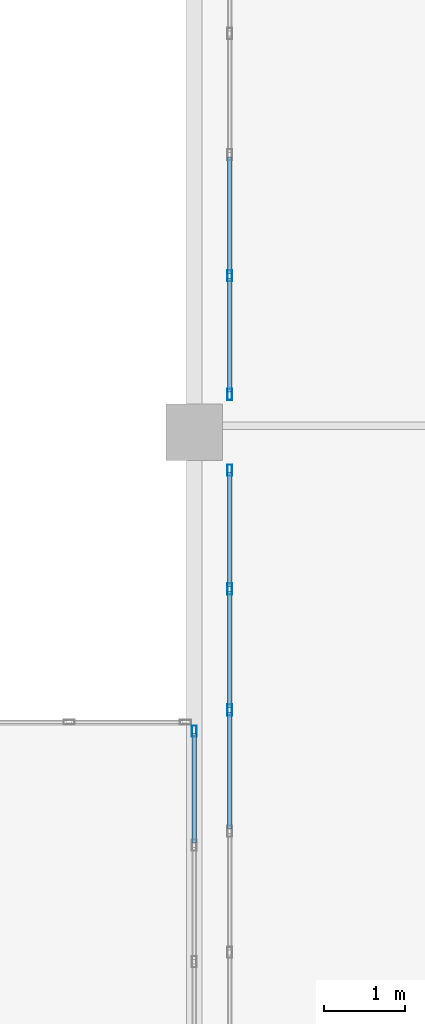
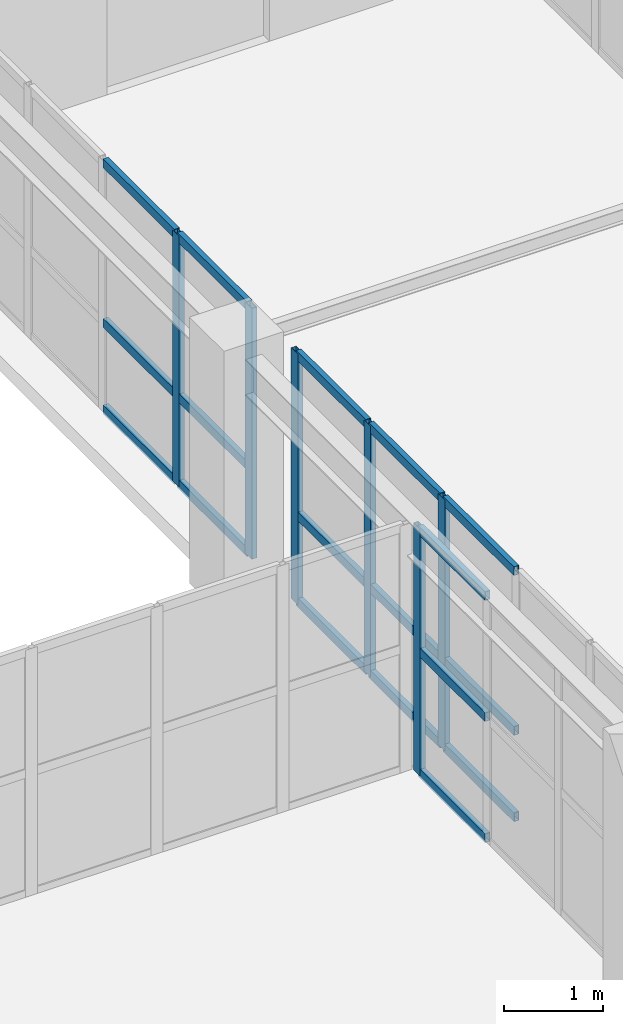
# One storey, part 68 of 148: 24 members, 3 elements without a shape of their own.
"""IFC4 building model written with IfcOpenShell, lengths in metres."""

from ifc_helpers import new_model, si_unit, direction, frame, origin, origin_2d, place, context, subcontext, project, spatial, hollow_rectangle, extrude, material, layer, layer_set, material_profile, profile_set, type_object, element, aggregate, save


model = new_model("IFC4")

# Units and contexts
model_context = context("Model", 3, precision=1e-05, world=origin(), true_north=direction((0.0, 1.0)))
body_context = subcontext(model_context, "Body", "Model", "MODEL_VIEW")
ifc_project = project(units=[si_unit("LENGTHUNIT", "METRE"), si_unit("AREAUNIT", "SQUARE_METRE"), si_unit("VOLUMEUNIT", "CUBIC_METRE"), si_unit("PLANEANGLEUNIT", "RADIAN"), si_unit("MASSUNIT", "GRAM", prefix="KILO")], contexts=[model_context])

# Site, building, storey
site_placement = place(None, origin())
site = spatial("IfcSite", under=ifc_project, at=site_placement, CompositionType="ELEMENT")
building_placement = place(site_placement, origin())
building = spatial("IfcBuilding", under=site, at=building_placement, Name="Trelvath General Hospital", CompositionType="ELEMENT")
storey_placement = place(building_placement, frame((0.0, 0.0, 12.89990234375)))
storey = spatial("IfcBuildingStorey", under=building, at=storey_placement, Name="L03", CompositionType="ELEMENT", Elevation=12.89990234375)

# Curtain wall, member
ifc_material_1 = material(Name="Anodised aluminium and low-E glass", Category="aluminium")
ifc_layer_1 = layer(ifc_material_1, 0.14990234375)
ifc_layer_set_1 = layer_set([ifc_layer_1], Name="Anodised aluminium and low-E glass")
curtain_wall_type_1 = type_object("IfcCurtainWallType", Name="CW CrystalCube 434 306 15", PredefinedType="USERDEFINED", material=ifc_layer_set_1)
curtain_wall_1_placement = place(storey_placement, origin())
curtain_wall_1 = element("IfcCurtainWall", 1, at=curtain_wall_1_placement, inside=storey, type_object=curtain_wall_type_1, Name="Crystal Cube Curtain Wall CUBE-W-T1 E5 L03", ObjectType="Unitised Glazed Curtain Wall", PredefinedType="USERDEFINED")
ifc_material_2 = material(Name="Anodised aluminium", Category="aluminium")
ifc_material_profile_1 = material_profile(ifc_material_2, hollow_rectangle(XDim=0.06005859375, YDim=0.139892578125, WallThickness=0.00390625, at=origin_2d()), Name="RHS60x140x4")
ifc_profile_set_1 = profile_set([ifc_material_profile_1], Name="Anodised aluminium")
member_type_1 = type_object("IfcMemberType", Name="CurtainMullion 60x140", PredefinedType="MULLION", material=ifc_profile_set_1)
member_1_placement = place(storey_placement, frame((75.60009765625, 80.2900390625, 0.0), z_axis=(0.0, 0.0, 1.0), x_axis=(1.0, 0.0, 0.0)))
member_1 = element("IfcMember", 2, at=member_1_placement, type_object=member_type_1, Name="CW-243 mullion 1", PredefinedType="MULLION", context=body_context, shape_type="SweptSolid", body=[
    extrude(hollow_rectangle(XDim=0.06005859375, YDim=0.139892578125, WallThickness=0.00390625, at=origin_2d()), origin(), (0.0, 0.0, 1.0), 3.06005859375),
])

# Curtain wall, members
ifc_material_3 = material(Name="Anodised aluminium and low-E glass", Category="aluminium")
ifc_layer_2 = layer(ifc_material_3, 0.139892578125)
ifc_layer_set_2 = layer_set([ifc_layer_2], Name="Anodised aluminium and low-E glass")
curtain_wall_type_2 = type_object("IfcCurtainWallType", Name="CW Bridge 752 311", PredefinedType="USERDEFINED", material=ifc_layer_set_2)
curtain_wall_2_placement = place(storey_placement, origin())
curtain_wall_2 = element("IfcCurtainWall", 3, at=curtain_wall_2_placement, inside=storey, type_object=curtain_wall_type_2, Name="Glazed Bridge Curtain Wall BRG-N-C W L03", ObjectType="Unitised Glazed Curtain Wall", PredefinedType="USERDEFINED")
member_2_placement = place(storey_placement, frame((76.0400390625, 80.552001953125, 0.0), z_axis=(0.0, 0.0, 1.0), x_axis=(-1.0, 0.0, 0.0)))
member_2 = element("IfcMember", 4, at=member_2_placement, type_object=member_type_1, Name="CW-260 mullion 4", PredefinedType="MULLION", context=body_context, shape_type="SweptSolid", body=[
    extrude(hollow_rectangle(XDim=0.06005859375, YDim=0.139892578125, WallThickness=0.00390625, at=origin_2d()), origin(), (0.0, 0.0, 1.0), 3.110107421875),
])
member_3_placement = place(storey_placement, frame((76.0400390625, 82.055908203125, 0.0), z_axis=(0.0, 0.0, 1.0), x_axis=(-1.0, 0.0, 0.0)))
member_3 = element("IfcMember", 5, at=member_3_placement, type_object=member_type_1, Name="CW-260 mullion 5", PredefinedType="MULLION", context=body_context, shape_type="SweptSolid", body=[
    extrude(hollow_rectangle(XDim=0.06005859375, YDim=0.139892578125, WallThickness=0.00390625, at=origin_2d()), origin(), (0.0, 0.0, 1.0), 3.110107421875),
])
member_4_placement = place(storey_placement, frame((76.0400390625, 83.530029296875, 0.0), z_axis=(0.0, 0.0, 1.0), x_axis=(-1.0, 0.0, 0.0)))
member_4 = element("IfcMember", 6, at=member_4_placement, type_object=member_type_1, Name="CW-260 mullion 6", PredefinedType="MULLION", context=body_context, shape_type="SweptSolid", body=[
    extrude(hollow_rectangle(XDim=0.06005859375, YDim=0.139892578125, WallThickness=0.00390625, at=origin_2d()), origin(), (0.0, 0.0, 1.0), 3.110107421875),
])

curtain_wall_3_placement = place(storey_placement, origin())
curtain_wall_3 = element("IfcCurtainWall", 7, at=curtain_wall_3_placement, inside=storey, type_object=curtain_wall_type_2, Name="Glazed Bridge Curtain Wall BRG-N-C W L03", ObjectType="Unitised Glazed Curtain Wall", PredefinedType="USERDEFINED")
member_5_placement = place(storey_placement, frame((76.0400390625, 84.469970703125, 0.0), z_axis=(0.0, 0.0, 1.0), x_axis=(-1.0, 0.0, 0.0)))
member_5 = element("IfcMember", 8, at=member_5_placement, type_object=member_type_1, Name="CW-262 mullion 1", PredefinedType="MULLION", context=body_context, shape_type="SweptSolid", body=[
    extrude(hollow_rectangle(XDim=0.06005859375, YDim=0.139892578125, WallThickness=0.00390625, at=origin_2d()), origin(), (0.0, 0.0, 1.0), 3.110107421875),
])
member_6_placement = place(storey_placement, frame((76.0400390625, 85.944091796875, 0.0), z_axis=(0.0, 0.0, 1.0), x_axis=(-1.0, 0.0, 0.0)))
member_6 = element("IfcMember", 9, at=member_6_placement, type_object=member_type_1, Name="CW-262 mullion 2", PredefinedType="MULLION", context=body_context, shape_type="SweptSolid", body=[
    extrude(hollow_rectangle(XDim=0.06005859375, YDim=0.139892578125, WallThickness=0.00390625, at=origin_2d()), origin(), (0.0, 0.0, 1.0), 3.110107421875),
])

# Member
ifc_material_4 = material(Name="Anodised aluminium", Category="aluminium")
ifc_material_profile_2 = material_profile(ifc_material_4, hollow_rectangle(XDim=0.06005859375, YDim=0.110107421875, WallThickness=0.00390625, at=origin_2d()), Name="RHS60x110x4")
ifc_profile_set_2 = profile_set([ifc_material_profile_2], Name="Anodised aluminium")
member_type_2 = type_object("IfcMemberType", Name="CurtainTransom 60x110", PredefinedType="USERDEFINED", material=ifc_profile_set_2)
member_7_placement = place(storey_placement, frame((75.60009765625, 80.260009765625, 0.030029296875), z_axis=(0.0, -1.0, 0.0), x_axis=(1.0, 0.0, 0.0)))
member_7 = element("IfcMember", 10, at=member_7_placement, type_object=member_type_2, Name="CW-243 transom 1.1", ObjectType="TRANSOM", PredefinedType="USERDEFINED", context=body_context, shape_type="SweptSolid", body=[
    extrude(hollow_rectangle(XDim=0.06005859375, YDim=0.110107421875, WallThickness=0.00390625, at=origin_2d()), origin(), (0.0, 0.0, 1.0), 1.356689453125),
])

member_8_placement = place(storey_placement, frame((75.60009765625, 80.260009765625, 1.530029296875), z_axis=(0.0, -1.0, 0.0), x_axis=(1.0, 0.0, 0.0)))
member_8 = element("IfcMember", 11, at=member_8_placement, type_object=member_type_2, Name="CW-243 transom 1.2", ObjectType="TRANSOM", PredefinedType="USERDEFINED", context=body_context, shape_type="SweptSolid", body=[
    extrude(hollow_rectangle(XDim=0.06005859375, YDim=0.110107421875, WallThickness=0.00390625, at=origin_2d()), origin(), (0.0, 0.0, 1.0), 1.356689453125),
])

member_9_placement = place(storey_placement, frame((75.60009765625, 80.260009765625, 3.030029296875), z_axis=(0.0, -1.0, 0.0), x_axis=(1.0, 0.0, 0.0)))
member_9 = element("IfcMember", 12, at=member_9_placement, type_object=member_type_2, Name="CW-243 transom 1.3", ObjectType="TRANSOM", PredefinedType="USERDEFINED", context=body_context, shape_type="SweptSolid", body=[
    extrude(hollow_rectangle(XDim=0.06005859375, YDim=0.110107421875, WallThickness=0.00390625, at=origin_2d()), origin(), (0.0, 0.0, 1.0), 1.356689453125),
])

aggregate(curtain_wall_1, [member_1, member_7, member_8, member_9])

member_10_placement = place(storey_placement, frame((76.0400390625, 79.077880859375, 0.030029296875), z_axis=(0.0, 1.0, 0.0), x_axis=(-1.0, 0.0, 0.0)))
member_10 = element("IfcMember", 13, at=member_10_placement, type_object=member_type_2, Name="CW-260 transom 3.1", ObjectType="TRANSOM", PredefinedType="USERDEFINED", context=body_context, shape_type="SweptSolid", body=[
    extrude(hollow_rectangle(XDim=0.06005859375, YDim=0.110107421875, WallThickness=0.00390625, at=origin_2d()), origin(), (0.0, 0.0, 1.0), 1.444091796875),
])

member_11_placement = place(storey_placement, frame((76.0400390625, 79.077880859375, 1.10009765625), z_axis=(0.0, 1.0, 0.0), x_axis=(-1.0, 0.0, 0.0)))
member_11 = element("IfcMember", 14, at=member_11_placement, type_object=member_type_2, Name="CW-260 transom 3.2", ObjectType="TRANSOM", PredefinedType="USERDEFINED", context=body_context, shape_type="SweptSolid", body=[
    extrude(hollow_rectangle(XDim=0.06005859375, YDim=0.110107421875, WallThickness=0.00390625, at=origin_2d()), origin(), (0.0, 0.0, 1.0), 1.444091796875),
])

member_12_placement = place(storey_placement, frame((76.0400390625, 79.077880859375, 3.080078125), z_axis=(0.0, 1.0, 0.0), x_axis=(-1.0, 0.0, 0.0)))
member_12 = element("IfcMember", 15, at=member_12_placement, type_object=member_type_2, Name="CW-260 transom 3.3", ObjectType="TRANSOM", PredefinedType="USERDEFINED", context=body_context, shape_type="SweptSolid", body=[
    extrude(hollow_rectangle(XDim=0.06005859375, YDim=0.110107421875, WallThickness=0.00390625, at=origin_2d()), origin(), (0.0, 0.0, 1.0), 1.444091796875),
])

member_13_placement = place(storey_placement, frame((76.0400390625, 80.58203125, 0.030029296875), z_axis=(0.0, 1.0, 0.0), x_axis=(-1.0, 0.0, 0.0)))
member_13 = element("IfcMember", 16, at=member_13_placement, type_object=member_type_2, Name="CW-260 transom 4.1", ObjectType="TRANSOM", PredefinedType="USERDEFINED", context=body_context, shape_type="SweptSolid", body=[
    extrude(hollow_rectangle(XDim=0.06005859375, YDim=0.110107421875, WallThickness=0.00390625, at=origin_2d()), origin(), (0.0, 0.0, 1.0), 1.44384765625),
])

member_14_placement = place(storey_placement, frame((76.0400390625, 80.58203125, 1.10009765625), z_axis=(0.0, 1.0, 0.0), x_axis=(-1.0, 0.0, 0.0)))
member_14 = element("IfcMember", 17, at=member_14_placement, type_object=member_type_2, Name="CW-260 transom 4.2", ObjectType="TRANSOM", PredefinedType="USERDEFINED", context=body_context, shape_type="SweptSolid", body=[
    extrude(hollow_rectangle(XDim=0.06005859375, YDim=0.110107421875, WallThickness=0.00390625, at=origin_2d()), origin(), (0.0, 0.0, 1.0), 1.44384765625),
])

member_15_placement = place(storey_placement, frame((76.0400390625, 80.58203125, 3.080078125), z_axis=(0.0, 1.0, 0.0), x_axis=(-1.0, 0.0, 0.0)))
member_15 = element("IfcMember", 18, at=member_15_placement, type_object=member_type_2, Name="CW-260 transom 4.3", ObjectType="TRANSOM", PredefinedType="USERDEFINED", context=body_context, shape_type="SweptSolid", body=[
    extrude(hollow_rectangle(XDim=0.06005859375, YDim=0.110107421875, WallThickness=0.00390625, at=origin_2d()), origin(), (0.0, 0.0, 1.0), 1.44384765625),
])

member_16_placement = place(storey_placement, frame((76.0400390625, 82.0859375, 0.030029296875), z_axis=(0.0, 1.0, 0.0), x_axis=(-1.0, 0.0, 0.0)))
member_16 = element("IfcMember", 19, at=member_16_placement, type_object=member_type_2, Name="CW-260 transom 5.1", ObjectType="TRANSOM", PredefinedType="USERDEFINED", context=body_context, shape_type="SweptSolid", body=[
    extrude(hollow_rectangle(XDim=0.06005859375, YDim=0.110107421875, WallThickness=0.00390625, at=origin_2d()), origin(), (0.0, 0.0, 1.0), 1.4140625),
])

member_17_placement = place(storey_placement, frame((76.0400390625, 82.0859375, 1.10009765625), z_axis=(0.0, 1.0, 0.0), x_axis=(-1.0, 0.0, 0.0)))
member_17 = element("IfcMember", 20, at=member_17_placement, type_object=member_type_2, Name="CW-260 transom 5.2", ObjectType="TRANSOM", PredefinedType="USERDEFINED", context=body_context, shape_type="SweptSolid", body=[
    extrude(hollow_rectangle(XDim=0.06005859375, YDim=0.110107421875, WallThickness=0.00390625, at=origin_2d()), origin(), (0.0, 0.0, 1.0), 1.4140625),
])

member_18_placement = place(storey_placement, frame((76.0400390625, 82.0859375, 3.080078125), z_axis=(0.0, 1.0, 0.0), x_axis=(-1.0, 0.0, 0.0)))
member_18 = element("IfcMember", 21, at=member_18_placement, type_object=member_type_2, Name="CW-260 transom 5.3", ObjectType="TRANSOM", PredefinedType="USERDEFINED", context=body_context, shape_type="SweptSolid", body=[
    extrude(hollow_rectangle(XDim=0.06005859375, YDim=0.110107421875, WallThickness=0.00390625, at=origin_2d()), origin(), (0.0, 0.0, 1.0), 1.4140625),
])

aggregate(curtain_wall_2, [member_2, member_3, member_4, member_10, member_11, member_12, member_13, member_14, member_15, member_16, member_17, member_18])

member_19_placement = place(storey_placement, frame((76.0400390625, 84.5, 0.030029296875), z_axis=(0.0, 1.0, 0.0), x_axis=(-1.0, 0.0, 0.0)))
member_19 = element("IfcMember", 22, at=member_19_placement, type_object=member_type_2, Name="CW-262 transom 1.1", ObjectType="TRANSOM", PredefinedType="USERDEFINED", context=body_context, shape_type="SweptSolid", body=[
    extrude(hollow_rectangle(XDim=0.06005859375, YDim=0.110107421875, WallThickness=0.00390625, at=origin_2d()), origin(), (0.0, 0.0, 1.0), 1.4140625),
])

member_20_placement = place(storey_placement, frame((76.0400390625, 84.5, 1.10009765625), z_axis=(0.0, 1.0, 0.0), x_axis=(-1.0, 0.0, 0.0)))
member_20 = element("IfcMember", 23, at=member_20_placement, type_object=member_type_2, Name="CW-262 transom 1.2", ObjectType="TRANSOM", PredefinedType="USERDEFINED", context=body_context, shape_type="SweptSolid", body=[
    extrude(hollow_rectangle(XDim=0.06005859375, YDim=0.110107421875, WallThickness=0.00390625, at=origin_2d()), origin(), (0.0, 0.0, 1.0), 1.4140625),
])

member_21_placement = place(storey_placement, frame((76.0400390625, 84.5, 3.080078125), z_axis=(0.0, 1.0, 0.0), x_axis=(-1.0, 0.0, 0.0)))
member_21 = element("IfcMember", 24, at=member_21_placement, type_object=member_type_2, Name="CW-262 transom 1.3", ObjectType="TRANSOM", PredefinedType="USERDEFINED", context=body_context, shape_type="SweptSolid", body=[
    extrude(hollow_rectangle(XDim=0.06005859375, YDim=0.110107421875, WallThickness=0.00390625, at=origin_2d()), origin(), (0.0, 0.0, 1.0), 1.4140625),
])

member_22_placement = place(storey_placement, frame((76.0400390625, 85.97412109375, 0.030029296875), z_axis=(0.0, 1.0, 0.0), x_axis=(-1.0, 0.0, 0.0)))
member_22 = element("IfcMember", 25, at=member_22_placement, type_object=member_type_2, Name="CW-262 transom 2.1", ObjectType="TRANSOM", PredefinedType="USERDEFINED", context=body_context, shape_type="SweptSolid", body=[
    extrude(hollow_rectangle(XDim=0.06005859375, YDim=0.110107421875, WallThickness=0.00390625, at=origin_2d()), origin(), (0.0, 0.0, 1.0), 1.44384765625),
])

member_23_placement = place(storey_placement, frame((76.0400390625, 85.97412109375, 1.10009765625), z_axis=(0.0, 1.0, 0.0), x_axis=(-1.0, 0.0, 0.0)))
member_23 = element("IfcMember", 26, at=member_23_placement, type_object=member_type_2, Name="CW-262 transom 2.2", ObjectType="TRANSOM", PredefinedType="USERDEFINED", context=body_context, shape_type="SweptSolid", body=[
    extrude(hollow_rectangle(XDim=0.06005859375, YDim=0.110107421875, WallThickness=0.00390625, at=origin_2d()), origin(), (0.0, 0.0, 1.0), 1.44384765625),
])

member_24_placement = place(storey_placement, frame((76.0400390625, 85.97412109375, 3.080078125), z_axis=(0.0, 1.0, 0.0), x_axis=(-1.0, 0.0, 0.0)))
member_24 = element("IfcMember", 27, at=member_24_placement, type_object=member_type_2, Name="CW-262 transom 2.3", ObjectType="TRANSOM", PredefinedType="USERDEFINED", context=body_context, shape_type="SweptSolid", body=[
    extrude(hollow_rectangle(XDim=0.06005859375, YDim=0.110107421875, WallThickness=0.00390625, at=origin_2d()), origin(), (0.0, 0.0, 1.0), 1.44384765625),
])

aggregate(curtain_wall_3, [member_5, member_6, member_19, member_20, member_21, member_22, member_23, member_24])

save(model, "model.ifc")
